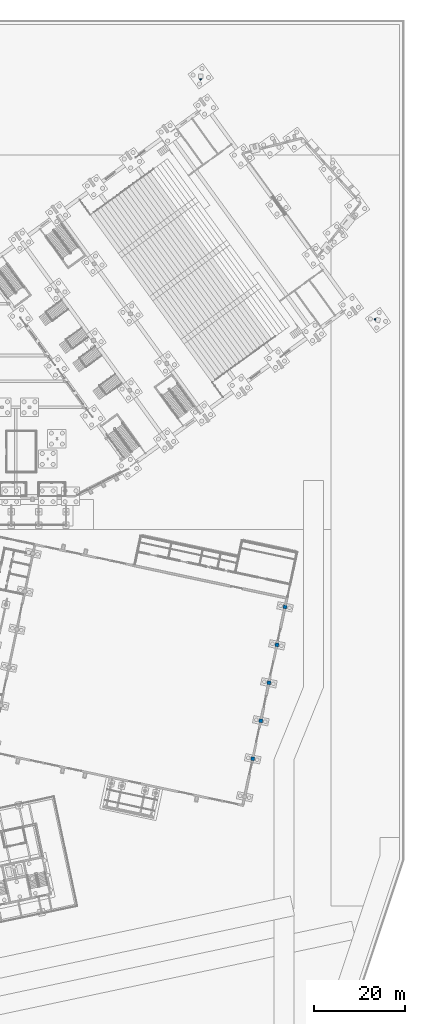
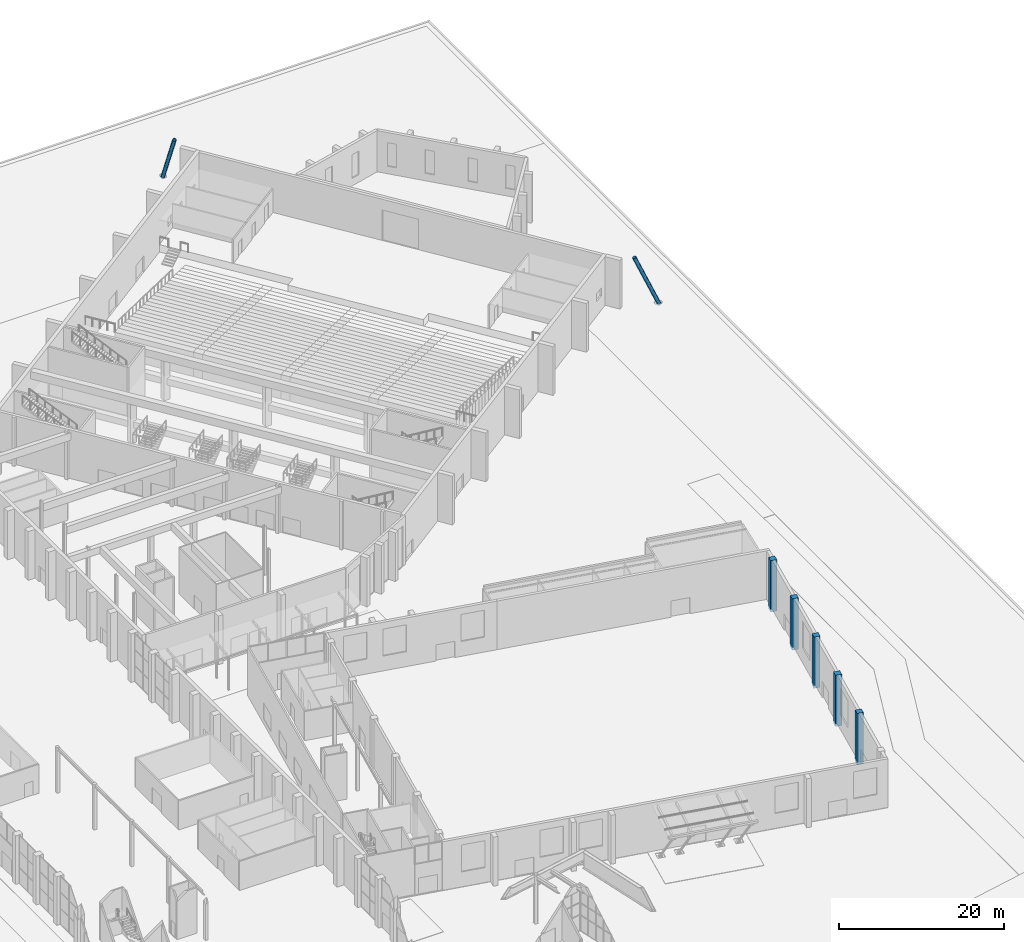
# One storey, part 47 of 239: 7 columns.
"""IFC4 building model written with IfcOpenShell, lengths in metres."""

from ifc_helpers import new_model, si_unit, direction, frame, origin, origin_2d, place, context, subcontext, project, spatial, rectangle, hollow_circle, extrude, material, material_profile, profile_set, type_object, element, save


model = new_model("IFC4")

# Units and contexts
model_context = context("Model", 3, precision=1e-05, world=origin(), true_north=direction((0.0, 1.0)))
body_context = subcontext(model_context, "Body", "Model", "MODEL_VIEW")
ifc_project = project(units=[si_unit("LENGTHUNIT", "METRE"), si_unit("AREAUNIT", "SQUARE_METRE"), si_unit("VOLUMEUNIT", "CUBIC_METRE"), si_unit("PLANEANGLEUNIT", "RADIAN"), si_unit("MASSUNIT", "GRAM", prefix="KILO")], contexts=[model_context])

# Site, building, storey
site_placement = place(None, origin())
site = spatial("IfcSite", under=ifc_project, at=site_placement, CompositionType="ELEMENT")
building_placement = place(site_placement, origin())
building = spatial("IfcBuilding", under=site, at=building_placement, Name="Okhra Congress Centre", CompositionType="ELEMENT")
storey_placement = place(building_placement, origin())
storey = spatial("IfcBuildingStorey", under=building, at=storey_placement, Name="L00", CompositionType="ELEMENT", Elevation=0.0)

# Columns
ifc_material_1 = material(Name="Steel S355J2H", Category="steel")
ifc_material_profile_1 = material_profile(ifc_material_1, hollow_circle(Radius=0.25390625, WallThickness=0.01611328125, at=origin_2d()), Name="CHS 508x16")
ifc_profile_set_1 = profile_set([ifc_material_profile_1], Name="Steel S355J2H")
column_type_1 = type_object("IfcColumnType", Name="CHS 508x16", PredefinedType="COLUMN", material=ifc_profile_set_1)
for number, where, z_axis, x_axis, name in (
    (1, (284.30517578125, 188.28515625, -0.300048828125), (-0.375251079379, 0.100306923217, 0.921479868787), (-0.258239386622, -0.966080958925, 0.0), "Corner prop 1 lower"),
    (2, (245.511474609375, 241.680419921875, -0.300048828125), (-0.020577087951, -0.387905104063, 0.921469594557), (0.998595985928, -0.052972227524, 0.0), "Corner prop 2 lower"),
):
    element("IfcColumn", number, at=place(storey_placement, frame(where, z_axis=z_axis, x_axis=x_axis)), inside=storey, type_object=column_type_1, Name=name, PredefinedType="COLUMN", context=body_context, shape_type="SweptSolid", body=[
        extrude(hollow_circle(Radius=0.25390625, WallThickness=0.01611328125, at=origin_2d()), origin(), (0.0, 0.0, 1.0), 8.13916015625),
    ])
ifc_material_2 = material(Name="Concrete C40/50", Category="concrete")
ifc_material_profile_2 = material_profile(ifc_material_2, rectangle(XDim=0.800048828125, YDim=0.800048828125, at=origin_2d()), Name="RC 800x800")
ifc_profile_set_2 = profile_set([ifc_material_profile_2], Name="Concrete C40/50")
column_type_2 = type_object("IfcColumnType", Name="RC column 800x800 C40/50", PredefinedType="COLUMN", material=ifc_profile_set_2)
for number, where, z_axis, x_axis, name in (
    (3, (256.884521484375, 92.26220703125, -0.39990234375), (0.0, 0.0, 1.0), (0.978147600734, -0.207911690818, 0.0), "Hall column E1"),
    (4, (258.651611328125, 100.576416015625, -0.39990234375), (0.0, 0.0, 1.0), (0.978147600734, -0.207911690818, 0.0), "Hall column E2"),
    (5, (260.4189453125, 108.890869140625, -0.39990234375), (0.0, 0.0, 1.0), (0.978147600734, -0.207911690818, 0.0), "Hall column E3"),
    (6, (262.186279296875, 117.205078125, -0.39990234375), (0.0, 0.0, 1.0), (0.978147600734, -0.207911690818, 0.0), "Hall column E4"),
    (7, (263.953369140625, 125.519287109375, -0.39990234375), (0.0, 0.0, 1.0), (0.978147600734, -0.207911690818, 0.0), "Hall column E5"),
):
    element("IfcColumn", number, at=place(storey_placement, frame(where, z_axis=z_axis, x_axis=x_axis)), inside=storey, type_object=column_type_2, Name=name, PredefinedType="COLUMN", context=body_context, shape_type="SweptSolid", body=[
        extrude(rectangle(XDim=0.800048828125, YDim=0.800048828125, at=origin_2d()), origin(), (0.0, 0.0, 1.0), 7.599853515625),
    ])

save(model, "model.ifc")
